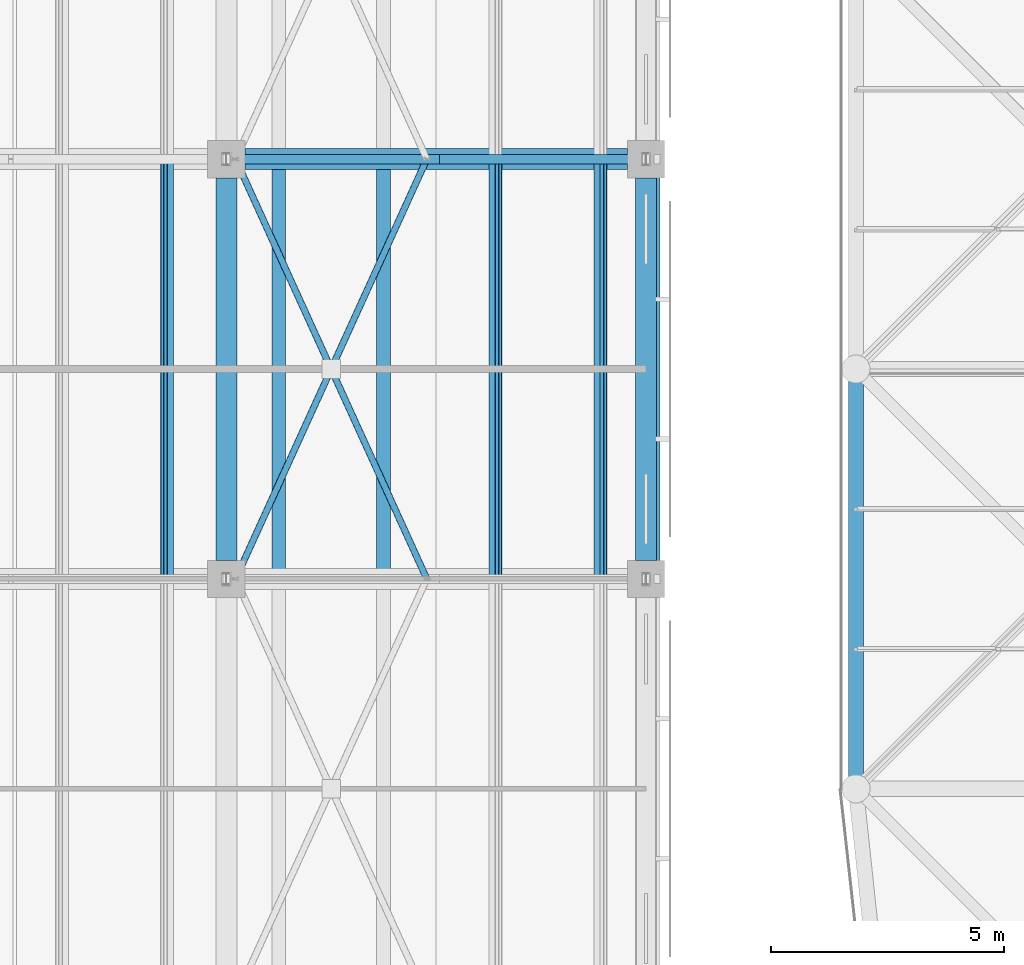
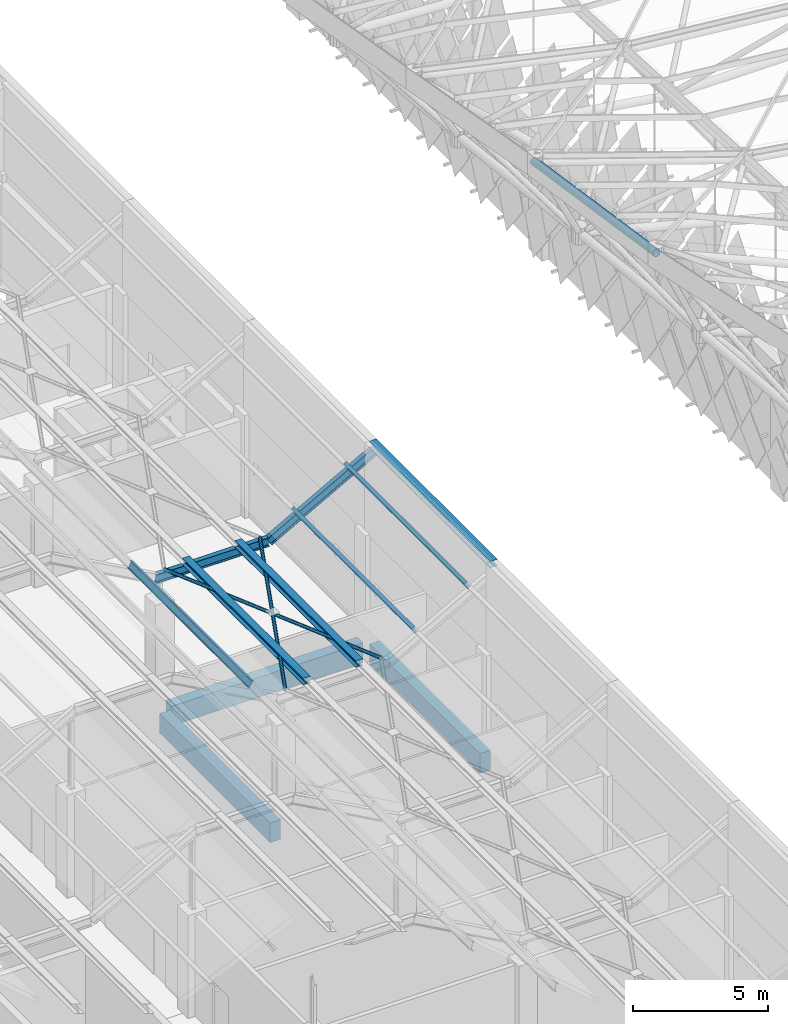
# One storey, part 49 of 437: 12 members, 3 beams.
"""IFC4 building model written with IfcOpenShell, lengths in metres."""

from ifc_helpers import new_model, si_unit, direction, frame, origin, origin_2d, place, context, subcontext, project, spatial, rectangle, hollow_circle, i_section, extrude, material, material_profile, profile_set, type_object, element, save


model = new_model("IFC4")

# Units and contexts
model_context = context("Model", 3, precision=1e-05, world=origin(), true_north=direction((0.0, 1.0)))
body_context = subcontext(model_context, "Body", "Model", "MODEL_VIEW")
ifc_project = project(units=[si_unit("LENGTHUNIT", "METRE"), si_unit("AREAUNIT", "SQUARE_METRE"), si_unit("VOLUMEUNIT", "CUBIC_METRE"), si_unit("PLANEANGLEUNIT", "RADIAN"), si_unit("MASSUNIT", "GRAM", prefix="KILO")], contexts=[model_context])

# Site, building, storey
site_placement = place(None, origin())
site = spatial("IfcSite", under=ifc_project, at=site_placement, CompositionType="ELEMENT")
building_placement = place(site_placement, origin())
building = spatial("IfcBuilding", under=site, at=building_placement, Name="Opaline Strait Convention Centre", CompositionType="ELEMENT")
storey_placement = place(building_placement, frame((0.0, 0.0, 11.5)))
storey = spatial("IfcBuildingStorey", under=building, at=storey_placement, Name="L02", CompositionType="ELEMENT", Elevation=11.5)

# Members
ifc_material_1 = material(Name="Steel Q355B", Category="steel")
ifc_material_profile_1 = material_profile(ifc_material_1, i_section(OverallWidth=0.300048828125, OverallDepth=0.300048828125, WebThickness=0.010009765625, FlangeThickness=0.014892578125, FilletRadius=0.012939453125, at=origin_2d()), Name="HW 300x300x10x15")
ifc_profile_set_1 = profile_set([ifc_material_profile_1], Name="Steel Q355B")
member_type_1 = type_object("IfcMemberType", Name="Crest purlin HW 300x300x10x15", PredefinedType="PURLIN", material=ifc_profile_set_1)
for number, where, z_axis, x_axis, name in (
    (1, (73.125, 63.0, 5.949951171875), (0.0, 1.0, 0.0), (-1.0, 0.0, 0.0), "RU1 purlin facet 15 line 1"),
    (2, (75.375, 63.0, 5.949951171875), (0.0, 1.0, 0.0), (-1.0, 0.0, 0.0), "RU1 purlin facet 15 line 2"),
    (3, (81.14990234375, 63.0, 8.449951171875), (0.0, 1.0, 0.0), (-1.0, 0.0, 0.0), "RU1 purlin facet 17 line 1"),
):
    element("IfcMember", number, at=place(storey_placement, frame(where, z_axis=z_axis, x_axis=x_axis)), inside=storey, type_object=member_type_1, Name=name, PredefinedType="PURLIN", context=body_context, shape_type="SweptSolid", body=[
        extrude(i_section(OverallWidth=0.300048828125, OverallDepth=0.300048828125, WebThickness=0.010009765625, FlangeThickness=0.014892578125, FilletRadius=0.012939453125, at=origin_2d()), origin(), (0.0, 0.0, 1.0), 9.0),
    ])

# Beams
ifc_material_2 = material(Name="Concrete C35", Category="concrete")
ifc_material_profile_2 = material_profile(ifc_material_2, rectangle(XDim=0.449951171875, YDim=0.89990234375, at=origin_2d()), Name="RC 450x900")
ifc_profile_set_2 = profile_set([ifc_material_profile_2], Name="Concrete C35")
beam_type = type_object("IfcBeamType", Name="RC beam 450x900 C35", PredefinedType="BEAM", material=ifc_profile_set_2)
for number, where, z_axis, x_axis, name in (
    (4, (72.39990234375, 72.0, -0.72998046875), (1.0, 0.0, 0.0), (0.0, 1.0, 0.0), "XB1 L02 72/72-81/72"),
    (5, (72.0, 63.39990234375, -0.72998046875), (0.0, 1.0, 0.0), (-1.0, 0.0, 0.0), "XB1 L02 72/63-72/72"),
    (6, (81.0, 63.39990234375, -0.72998046875), (0.0, 1.0, 0.0), (-1.0, 0.0, 0.0), "XB1 L02 81/63-81/72"),
):
    element("IfcBeam", number, at=place(storey_placement, frame(where, z_axis=z_axis, x_axis=x_axis)), inside=storey, type_object=beam_type, Name=name, PredefinedType="BEAM", context=body_context, shape_type="SweptSolid", body=[
        extrude(rectangle(XDim=0.449951171875, YDim=0.89990234375, at=origin_2d()), origin(), (0.0, 0.0, 1.0), 8.2001953125),
    ])

# Members
ifc_material_profile_3 = material_profile(ifc_material_1, hollow_circle(Radius=0.070068359375, WallThickness=0.0048828125, at=origin_2d()), Name="CHS 140x5")
ifc_profile_set_3 = profile_set([ifc_material_profile_3], Name="Steel Q355B")
member_type_2 = type_object("IfcMemberType", Name="Roof bracing CHS 140x5", PredefinedType="BRACE", material=ifc_profile_set_3)
member_1_placement = place(storey_placement, frame((72.199951171875, 63.0, 5.8701171875), z_axis=(0.414572789354, 0.910016154981, 0.0), x_axis=(-0.910016154981, 0.414572789354, 0.0)))
element("IfcMember", 7, at=member_1_placement, inside=storey, type_object=member_type_2, Name="RX1 roof brace bay 7 at 72", PredefinedType="BRACE", context=body_context, shape_type="SweptSolid", body=[
    extrude(hollow_circle(Radius=0.070068359375, WallThickness=0.0048828125, at=origin_2d()), origin(), (0.0, 0.0, 1.0), 9.889892578125),
])
for number, where, z_axis, x_axis, name in (
    (8, (76.300048828125, 63.0, 5.8701171875), (-0.41458243593, 0.910011760264, 0.0), (-0.910011760264, -0.41458243593, 0.0), "RX1 roof brace bay 7 at 72"),
    (9, (74.185546875, 67.6416015625, 5.8701171875), (-0.41458243593, 0.910011760264, 0.0), (-0.910011760264, -0.41458243593, 0.0), "RX1 roof brace bay 7 at 72"),
):
    element("IfcMember", number, at=place(storey_placement, frame(where, z_axis=z_axis, x_axis=x_axis)), inside=storey, type_object=member_type_2, Name=name, PredefinedType="BRACE", context=body_context, shape_type="SweptSolid", body=[
        extrude(hollow_circle(Radius=0.070068359375, WallThickness=0.0048828125, at=origin_2d()), origin(), (0.0, 0.0, 1.0), 4.789306640625),
    ])
ifc_material_profile_4 = material_profile(ifc_material_1, i_section(OverallWidth=0.14990234375, OverallDepth=0.300048828125, WebThickness=0.006591796875, FlangeThickness=0.009033203125, FilletRadius=0.012939453125, at=origin_2d()), Name="HN 300x150x6.5x9")
ifc_profile_set_4 = profile_set([ifc_material_profile_4], Name="Steel Q355B")
member_type_3 = type_object("IfcMemberType", Name="Roof purlin HN 300x150x6.5x9", PredefinedType="PURLIN", material=ifc_profile_set_4)
for number, where, z_axis, x_axis, name in (
    (10, (70.729248046875, 63.0, 6.61279296875), (0.0, 1.0, 0.0), (-0.874157310866, 0.0, 0.485642868639), "RU1 purlin facet 14 line 2"),
    (11, (77.770751953125, 63.0, 6.61279296875), (0.0, 1.0, 0.0), (-0.874157310866, 0.0, -0.485642868639), "RU1 purlin facet 16 line 1"),
    (12, (80.020751953125, 63.0, 7.86279296875), (0.0, 1.0, 0.0), (-0.874157310866, 0.0, -0.485642868639), "RU1 purlin facet 16 line 2"),
):
    element("IfcMember", number, at=place(storey_placement, frame(where, z_axis=z_axis, x_axis=x_axis)), inside=storey, type_object=member_type_3, Name=name, PredefinedType="PURLIN", context=body_context, shape_type="SweptSolid", body=[
        extrude(i_section(OverallWidth=0.14990234375, OverallDepth=0.300048828125, WebThickness=0.006591796875, FlangeThickness=0.009033203125, FilletRadius=0.012939453125, at=origin_2d()), origin(), (0.0, 0.0, 1.0), 9.0),
    ])
ifc_material_profile_5 = material_profile(ifc_material_1, i_section(OverallWidth=0.199951171875, OverallDepth=0.39990234375, WebThickness=0.008056640625, FlangeThickness=0.012939453125, FilletRadius=0.012939453125, at=origin_2d()), Name="HN 400x200x8x13")
ifc_profile_set_5 = profile_set([ifc_material_profile_5], Name="Steel Q355B")
member_type_4 = type_object("IfcMemberType", Name="Roof rafter HN 400x200x8x13", PredefinedType="RAFTER", material=ifc_profile_set_5)
member_2_placement = place(storey_placement, frame((71.83154296875, 72.0, 5.60009765625), z_axis=(1.0, 0.0, 0.0), x_axis=(0.0, 1.0, 0.0)))
element("IfcMember", 13, at=member_2_placement, inside=storey, type_object=member_type_4, Name="RR1 rafter line 8 facet 16", PredefinedType="RAFTER", context=body_context, shape_type="SweptSolid", body=[
    extrude(i_section(OverallWidth=0.199951171875, OverallDepth=0.39990234375, WebThickness=0.008056640625, FlangeThickness=0.012939453125, FilletRadius=0.012939453125, at=origin_2d()), origin(), (0.0, 0.0, 1.0), 4.8369140625),
])
member_3_placement = place(storey_placement, frame((76.66845703125, 72.0, 5.60009765625), z_axis=(0.874157276122, 0.0, 0.485642931179), x_axis=(0.0, 1.0, 0.0)))
element("IfcMember", 14, at=member_3_placement, inside=storey, type_object=member_type_4, Name="RR1 rafter line 8 facet 17", PredefinedType="RAFTER", context=body_context, shape_type="SweptSolid", body=[
    extrude(i_section(OverallWidth=0.199951171875, OverallDepth=0.39990234375, WebThickness=0.008056640625, FlangeThickness=0.012939453125, FilletRadius=0.012939453125, at=origin_2d()), origin(), (0.0, 0.0, 1.0), 5.147705078125),
])
ifc_material_profile_6 = material_profile(ifc_material_1, hollow_circle(Radius=0.16259765625, WallThickness=0.013916015625, at=origin_2d()), Name="CHS 325x14")
ifc_profile_set_6 = profile_set([ifc_material_profile_6], Name="Steel Q355B")
member_type_5 = type_object("IfcMemberType", Name="Space frame top chord CHS 325x14", PredefinedType="CHORD", material=ifc_profile_set_6)
member_4_placement = place(storey_placement, frame((85.5, 58.450439453125, 23.775634765625), z_axis=(0.0, 0.989023771129, -0.147756489339), x_axis=(-1.0, 0.0, 0.0)))
element("IfcMember", 15, at=member_4_placement, inside=storey, type_object=member_type_5, Name="EXB-RF-TY-0-2", PredefinedType="CHORD", context=body_context, shape_type="SweptSolid", body=[
    extrude(hollow_circle(Radius=0.16259765625, WallThickness=0.013916015625, at=origin_2d()), origin(), (0.0, 0.0, 1.0), 9.2001953125),
])

save(model, "model.ifc")
